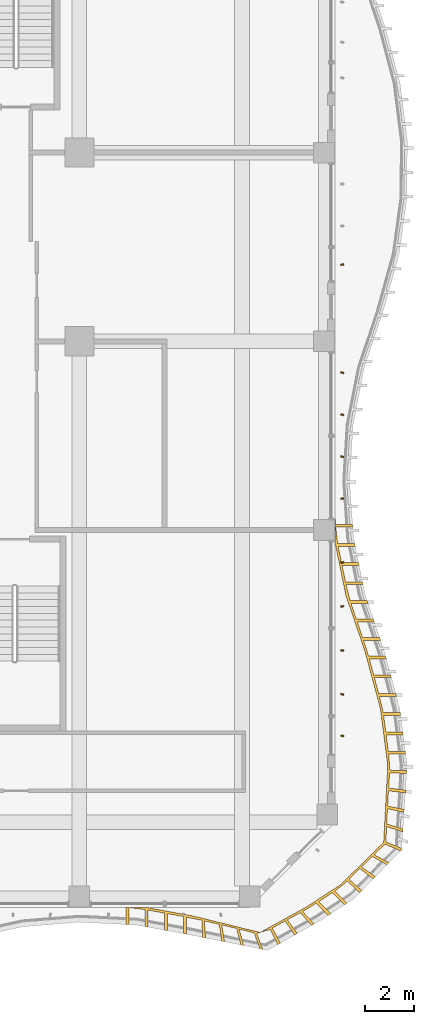
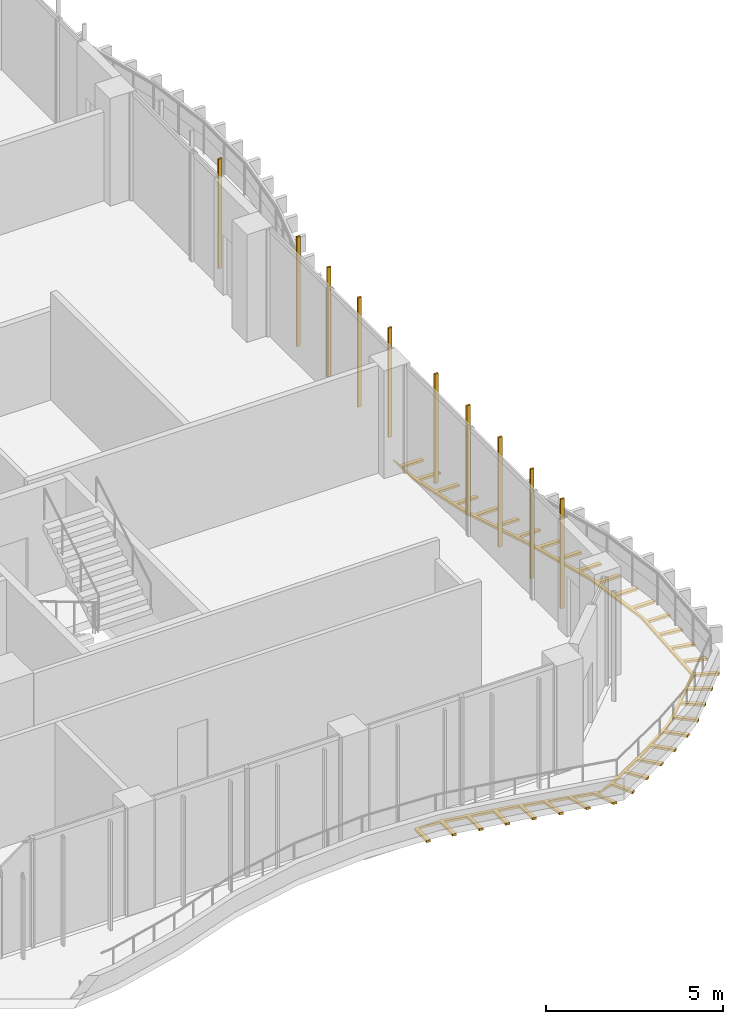
# One storey, part 22 of 26: 11 shading devices.
"""IFC4 building model written with IfcOpenShell, lengths in metres."""

import ifcopenshell
import ifcopenshell.guid

model = None  # the IFC model being written
_history = None  # IfcOwnerHistory: only IFC2X3 demands one
_inside = {}  # id of a spatial element -> (the spatial element, [elements in it])
_under = {}  # id of a project, library or spatial element -> (it, [spatial elements below it])
_declared = {}  # id of a project -> (the project, [libraries it declares])
_typed = {}  # id of a type object -> (the type object, [elements of that type])
_made_of = {}  # id of a material, layer set ... -> (it, [elements and type objects made of it])


def new_model(schema):
    """Start an empty IFC model of exactly this schema.

    Asked for "IFC4X3", IfcOpenShell would pick the latest addendum, in which some entities
    have other attributes; the version numbers below select the first issue.
    IFC2X3 requires an IfcOwnerHistory on every rooted entity: one is made here for all.
    """
    global model, _history
    if schema == "IFC4X3":
        model = ifcopenshell.file(schema_version=(4, 3, 0, 0))
    else:
        model = ifcopenshell.file(schema=schema)
    _inside.clear()
    _under.clear()
    _declared.clear()
    _typed.clear()
    _made_of.clear()
    _history = None
    if model.schema == "IFC2X3":
        org = make("IfcOrganization", Name="unknown")
        user = make(
            "IfcPersonAndOrganization",
            ThePerson=make("IfcPerson", FamilyName="unknown"),
            TheOrganization=org,
        )
        app = make(
            "IfcApplication",
            ApplicationDeveloper=org,
            Version="unknown",
            ApplicationFullName="unknown",
            ApplicationIdentifier="unknown",
        )
        _history = make(
            "IfcOwnerHistory",
            OwningUser=user,
            OwningApplication=app,
            ChangeAction="ADDED",
            CreationDate=0,
        )
    return model


def make(cls, **values):
    """One entity of the class cls with the attributes given. An attribute that is None is left unset."""
    return model.create_entity(
        cls, **{name: value for name, value in values.items() if value is not None}
    )


def rooted(cls, **values):
    """An entity with a GlobalId (a new one), such as an element, a storey or a relation."""
    return make(cls, GlobalId=ifcopenshell.guid.new(), OwnerHistory=_history, **values)


def si_unit(unit_type, name, prefix=None):
    """IfcSIUnit, for example si_unit("LENGTHUNIT", "METRE", prefix="MILLI")."""
    return make("IfcSIUnit", UnitType=unit_type, Prefix=prefix, Name=name)


def assignment(units):
    """IfcUnitAssignment: the units of a project."""
    return None if units is None else make("IfcUnitAssignment", Units=units)


def point(xyz):
    """IfcCartesianPoint."""
    return None if xyz is None else make("IfcCartesianPoint", Coordinates=xyz)


def direction(xyz):
    """IfcDirection."""
    return None if xyz is None else make("IfcDirection", DirectionRatios=xyz)


def frame(location, z_axis=None, x_axis=None):
    """IfcAxis2Placement3D, a coordinate frame: its origin and axes. An axis left out is left unset."""
    return make(
        "IfcAxis2Placement3D",
        Location=point(location),
        Axis=direction(z_axis),
        RefDirection=direction(x_axis),
    )


def frame_2d(location, x_axis=None):
    """IfcAxis2Placement2D, a coordinate frame in the plane: its origin and x axis."""
    return make(
        "IfcAxis2Placement2D", Location=point(location), RefDirection=direction(x_axis)
    )


def origin():
    """The frame at (0, 0, 0) with its axes left unset."""
    return frame((0.0, 0.0, 0.0))


def origin_2d():
    """The frame at (0, 0) in the plane with its x axis left unset."""
    return frame_2d((0.0, 0.0))


def place(relative_to, where):
    """IfcLocalPlacement: puts the frame where relative to a parent placement (None: the world)."""
    return make(
        "IfcLocalPlacement", PlacementRelTo=relative_to, RelativePlacement=where
    )


def context(
    kind, dimensions, precision=None, world=None, true_north=None, identifier=None
):
    """IfcGeometricRepresentationContext, for example the 3D "Model" context."""
    return make(
        "IfcGeometricRepresentationContext",
        ContextIdentifier=identifier,
        ContextType=kind,
        CoordinateSpaceDimension=dimensions,
        Precision=precision,
        WorldCoordinateSystem=world,
        TrueNorth=true_north,
    )


def subcontext(parent, identifier, kind, view, scale=None):
    """IfcGeometricRepresentationSubContext, for example "Body" below "Model"."""
    return make(
        "IfcGeometricRepresentationSubContext",
        ContextIdentifier=identifier,
        ContextType=kind,
        ParentContext=parent,
        TargetScale=scale,
        TargetView=view,
    )


def project(units=None, contexts=None):
    """IfcProject with its units and contexts."""
    return rooted(
        "IfcProject",
        Name="project",
        RepresentationContexts=contexts,
        UnitsInContext=assignment(units),
    )


def spatial(cls, under=None, at=None, **own):
    """A site, building, storey or space (cls), placed at a placement, below another one or the project."""
    s = rooted(cls, ObjectPlacement=at, **own)
    if under is not None:
        _under.setdefault(under.id(), (under, []))[1].append(s)
    return s


def polyline(points):
    """IfcPolyline through the points."""
    return make("IfcPolyline", Points=[point(p) for p in points])


def profile(cls, at=None, kind="AREA", **sizes):
    """A parametric profile (cls). Its sizes go by their IFC names, for example OverallWidth=200.0."""
    return make(cls, ProfileType=kind, Position=at, **sizes)


def rectangle(**sizes):
    """IfcRectangleProfileDef."""
    return profile("IfcRectangleProfileDef", **sizes)


def outline(outer, holes=None, kind="AREA"):
    """IfcArbitraryClosedProfileDef: a profile drawn as a closed curve; with holes, ...WithVoids."""
    if holes is None:
        return make("IfcArbitraryClosedProfileDef", ProfileType=kind, OuterCurve=outer)
    return make(
        "IfcArbitraryProfileDefWithVoids",
        ProfileType=kind,
        OuterCurve=outer,
        InnerCurves=holes,
    )


def extrude(swept, where, along, depth):
    """IfcExtrudedAreaSolid: the profile swept, set in the frame where, extruded along a direction by depth."""
    return make(
        "IfcExtrudedAreaSolid",
        SweptArea=swept,
        Position=where,
        ExtrudedDirection=direction(along),
        Depth=depth,
    )


def shape(context_of_items, identifier, shape_type, items):
    """IfcShapeRepresentation: the items that make up one representation, for example the "Body"."""
    return make(
        "IfcShapeRepresentation",
        ContextOfItems=context_of_items,
        RepresentationIdentifier=identifier,
        RepresentationType=shape_type,
        Items=items,
    )


def source(mapping_origin, context_of_items, identifier, shape_type, items):
    """IfcRepresentationMap: a shape defined once, which mapped items show again and again."""
    return make(
        "IfcRepresentationMap",
        MappingOrigin=mapping_origin,
        MappedRepresentation=shape(context_of_items, identifier, shape_type, items),
    )


def transform(
    local_origin,
    x_axis=None,
    y_axis=None,
    z_axis=None,
    scale=None,
    scale2=None,
    scale3=None,
    uniform=True,
):
    """IfcCartesianTransformationOperator3D, or its non-uniform kind. x_axis, y_axis, z_axis: its Axis1, 2, 3."""
    if uniform:
        return make(
            "IfcCartesianTransformationOperator3D",
            Axis1=direction(x_axis),
            Axis2=direction(y_axis),
            LocalOrigin=point(local_origin),
            Scale=scale,
            Axis3=direction(z_axis),
        )
    return make(
        "IfcCartesianTransformationOperator3DnonUniform",
        Axis1=direction(x_axis),
        Axis2=direction(y_axis),
        LocalOrigin=point(local_origin),
        Scale=scale,
        Axis3=direction(z_axis),
        Scale2=scale2,
        Scale3=scale3,
    )


def mapped(mapping_source, mapping_target):
    """IfcMappedItem: shows the shape of a source again, moved by a transform."""
    return make(
        "IfcMappedItem", MappingSource=mapping_source, MappingTarget=mapping_target
    )


def material(Name=None, Category=None):
    """IfcMaterial."""
    return make("IfcMaterial", Name=Name, Category=Category)


def layer(
    of_material, thickness, ventilated=None, Name=None, Category=None, Priority=None
):
    """IfcMaterialLayer: one layer of a wall or slab, of a material (None: an air gap)."""
    return make(
        "IfcMaterialLayer",
        Material=of_material,
        LayerThickness=thickness,
        IsVentilated=ventilated,
        Name=Name,
        Category=Category,
        Priority=Priority,
    )


def layer_set(layers, Name=None):
    """IfcMaterialLayerSet."""
    return make("IfcMaterialLayerSet", MaterialLayers=layers, LayerSetName=Name)


def material_profile(
    of_material, cross_section, Name=None, Category=None, Priority=None
):
    """IfcMaterialProfile: a cross section and its material."""
    return make(
        "IfcMaterialProfile",
        Name=Name,
        Material=of_material,
        Profile=cross_section,
        Priority=Priority,
        Category=Category,
    )


def profile_set(profiles, Name=None, composite=None):
    """IfcMaterialProfileSet."""
    return make(
        "IfcMaterialProfileSet",
        Name=Name,
        MaterialProfiles=profiles,
        CompositeProfile=composite,
    )


def made_of(thing, what):
    """Note that an element or type object is made of a material, layer set ...; save() writes the relation."""
    if what is not None:
        _made_of.setdefault(what.id(), (what, []))[1].append(thing)
    return thing


def type_object(cls, material=None, **own):
    """A type object (cls), such as IfcWallType, which elements share."""
    return made_of(rooted(cls, **own), material)


def element(
    cls,
    number,
    at=None,
    inside=None,
    cuts=None,
    type_object=None,
    material=None,
    context=None,
    identifier="Body",
    shape_type=None,
    held_by="IfcProductDefinitionShape",
    body=None,
    shapes=None,
    **own,
):
    """One element of the class cls, such as IfcWall. Its Tag is "e" and its number.

    at: its placement. inside: the storey or other place that contains it. cuts: it is an
    opening in that element (IfcRelVoidsElement). A single representation is given by context,
    identifier, shape_type and body (its items); several are given by shapes. held_by: the class
    of the entity that holds the representations. save() writes the other relations.
    """
    e = rooted(cls, Tag="e%d" % number, ObjectPlacement=at, **own)
    if body is not None:
        shapes = [shape(context, identifier, shape_type, body)]
    if shapes is not None:
        e.Representation = make(held_by, Representations=shapes)
    if inside is not None:
        _inside.setdefault(inside.id(), (inside, []))[1].append(e)
    if cuts is not None:
        rooted(
            "IfcRelVoidsElement", RelatingBuildingElement=cuts, RelatedOpeningElement=e
        )
    if type_object is not None:
        _typed.setdefault(type_object.id(), (type_object, []))[1].append(e)
    return made_of(e, material)


def aggregate(whole, parts):
    """IfcRelAggregates: a whole, such as a stair, and the parts it consists of."""
    return rooted("IfcRelAggregates", RelatingObject=whole, RelatedObjects=parts)


def save(model, path):
    """Write the relations noted so far, then the file.

    IfcRelAggregates (storeys below a building ...), IfcRelContainedInSpatialStructure (elements
    in a storey), IfcRelDefinesByType, IfcRelAssociatesMaterial and IfcRelDeclares: one each for
    every whole, place, type object, material and project.
    """
    for whole, parts in _under.values():
        aggregate(whole, parts)
    for where, things in _inside.values():
        rooted(
            "IfcRelContainedInSpatialStructure",
            RelatedElements=things,
            RelatingStructure=where,
        )
    for kind, things in _typed.values():
        rooted("IfcRelDefinesByType", RelatedObjects=things, RelatingType=kind)
    for what, things in _made_of.values():
        rooted("IfcRelAssociatesMaterial", RelatedObjects=things, RelatingMaterial=what)
    for by, libraries in _declared.values():
        rooted("IfcRelDeclares", RelatingContext=by, RelatedDefinitions=libraries)
    model.write(path)


model = new_model("IFC4")

# Units and contexts
model_context = context("Model", 3, precision=1e-05, world=origin(), true_north=direction((0.0, 1.0)))
body_context = subcontext(model_context, "Body", "Model", "MODEL_VIEW")
ifc_project = project(units=[si_unit("LENGTHUNIT", "METRE"), si_unit("AREAUNIT", "SQUARE_METRE"), si_unit("VOLUMEUNIT", "CUBIC_METRE"), si_unit("PLANEANGLEUNIT", "RADIAN"), si_unit("MASSUNIT", "GRAM", prefix="KILO")], contexts=[model_context])

# Site, building, storey
site_placement = place(None, origin())
site = spatial("IfcSite", under=ifc_project, at=site_placement, CompositionType="ELEMENT")
building_placement = place(site_placement, origin())
building = spatial("IfcBuilding", under=site, at=building_placement, Name="Kilnfold Tower and Market Hall", CompositionType="ELEMENT")
storey_placement = place(building_placement, frame((0.0, 0.0, 108.60009765625)))
storey = spatial("IfcBuildingStorey", under=building, at=storey_placement, Name="L25", CompositionType="ELEMENT", Elevation=108.60009765625)

# Shading devices
ifc_material_1 = material(Name="Terracotta", Category="masonry")
ifc_material_profile = material_profile(ifc_material_1, rectangle(XDim=0.06005859375, YDim=0.1201171875, at=origin_2d()), Name="BAG 60x120")
ifc_profile_set = profile_set([ifc_material_profile], Name="Terracotta")
shading_device_type_1 = type_object("IfcShadingDeviceType", Name="BAGUETTE", PredefinedType="USERDEFINED", material=ifc_profile_set)
shared_shape_1 = source(origin(), body_context, "Body", "SweptSolid", [
    extrude(rectangle(XDim=0.06005859375, YDim=0.1201171875, at=origin_2d()), origin(), (0.0, 0.0, 1.0), 3.77978515625),
])
for number, where, z_axis, x_axis, name in (
    (1, (33.300048828125, -15.951416015625, 0.0), (0.0, 0.0, 1.0), (0.137036545816, 0.990565992305, 0.0), "Terracotta baguette L25 E"),
    (2, (33.300048828125, -14.243408203125, 0.0), (0.0, 0.0, 1.0), (0.081968079421, 0.996634955215, 0.0), "Terracotta baguette L25 E"),
    (3, (33.300048828125, -12.438232421875, 0.0), (0.0, 0.0, 1.0), (-0.025267932671, 0.999680714818, 0.0), "Terracotta baguette L25 E"),
    (4, (33.300048828125, -10.6328125, 0.0), (0.0, 0.0, 1.0), (-0.116634335415, 0.993174925077, 0.0), "Terracotta baguette L25 E"),
    (5, (33.300048828125, -8.82763671875, 0.0), (0.0, 0.0, 1.0), (-0.135480399972, 0.990780026658, 0.0), "Terracotta baguette L25 E"),
    (6, (33.300048828125, -6.21240234375, 0.0), (0.0, 0.0, 1.0), (-0.022999665984, 0.999735472695, 0.0), "Terracotta baguette L25 E"),
    (7, (33.300048828125, -4.487548828125, 0.0), (0.0, 0.0, 1.0), (0.079751811491, 0.996814751378, 0.0), "Terracotta baguette L25 E"),
    (8, (33.300048828125, -2.762451171875, 0.0), (0.0, 0.0, 1.0), (0.136737446136, 0.990607324233, 0.0), "Terracotta baguette L25 E"),
    (9, (33.300048828125, -1.03759765625, 0.0), (0.0, 0.0, 1.0), (0.116050153661, 0.99324335479, 0.0), "Terracotta baguette L25 E"),
    (10, (33.300048828125, 3.39990234375, 0.0), (0.0, 0.0, 1.0), (-0.117741916272, 0.993044229203, 0.0), "Terracotta baguette L25 E"),
):
    element("IfcShadingDevice", number, at=place(storey_placement, frame(where, z_axis=z_axis, x_axis=x_axis)), inside=storey, type_object=shading_device_type_1, Name=name, ObjectType="BAGUETTE", PredefinedType="USERDEFINED", context=body_context, shape_type="MappedRepresentation", body=[
        mapped(shared_shape_1, transform((0.0, 0.0, 0.0))),
    ])
ifc_material_2 = material(Name="Bronze anodised aluminium", Category="aluminium")
ifc_layer = layer(ifc_material_2, 0.080078125)
ifc_layer_set = layer_set([ifc_layer], Name="Bronze anodised aluminium")
shading_device_type_2 = type_object("IfcShadingDeviceType", Name="BRONZE SLAT SOFFIT 80", PredefinedType="USERDEFINED", material=ifc_layer_set)
shared_shape_2 = source(origin(), body_context, "Body", "SweptSolid", [
    extrude(outline(polyline([(27.166748046875, -23.3466796875), (29.923583984375, -24.022216796875), (31.814208984375, -22.98095703125), (33.226806640625, -22.060302734375), (34.9951171875, -20.326416015625), (35.1640625, -17.166748046875), (34.860595703125, -14.833251953125), (34.232177734375, -12.5), (33.440185546875, -10.166748046875), (33.0, -8.01611328125), (33.0, -6.934326171875), (33.022705078125, -7.260986328125), (33.722900390625, -7.260986328125), (33.731201171875, -7.380859375), (33.031005859375, -7.380859375), (33.10791015625, -8.05517578125), (33.80810546875, -8.05517578125), (33.83203125, -8.172607421875), (33.132080078125, -8.172607421875), (33.268310546875, -8.8388671875), (33.968505859375, -8.8388671875), (33.992431640625, -8.956298828125), (33.29248046875, -8.956298828125), (33.4287109375, -9.62255859375), (34.12890625, -9.62255859375), (34.15283203125, -9.740234375), (33.452880859375, -9.740234375), (33.61865234375, -10.3984375), (34.318603515625, -10.3984375), (34.357421875, -10.511962890625), (33.6572265625, -10.511962890625), (33.8759765625, -11.156005859375), (34.575927734375, -11.156005859375), (34.614501953125, -11.26953125), (33.91455078125, -11.26953125), (34.133056640625, -11.91357421875), (34.8330078125, -11.91357421875), (34.87158203125, -12.027099609375), (34.171630859375, -12.027099609375), (34.379150390625, -12.67431640625), (35.0791015625, -12.67431640625), (35.1103515625, -12.790283203125), (34.410400390625, -12.790283203125), (34.587158203125, -13.447021484375), (35.287109375, -13.447021484375), (35.318359375, -13.562744140625), (34.618408203125, -13.562744140625), (34.795166015625, -14.219482421875), (35.4951171875, -14.219482421875), (35.5263671875, -14.335205078125), (34.826416015625, -14.335205078125), (34.981689453125, -14.99609375), (35.681640625, -14.99609375), (35.697265625, -15.114990234375), (34.997314453125, -15.114990234375), (35.0849609375, -15.789306640625), (35.784912109375, -15.789306640625), (35.80029296875, -15.908447265625), (35.100341796875, -15.908447265625), (35.18798828125, -16.582763671875), (35.88818359375, -16.582763671875), (35.903564453125, -16.70166015625), (35.20361328125, -16.70166015625), (35.250244140625, -17.361083984375), (35.9501953125, -17.377197265625), (35.942138671875, -17.4970703125), (35.24267578125, -17.471435546875), (35.20166015625, -18.096435546875), (35.897216796875, -18.175537109375), (35.88916015625, -18.29541015625), (35.19482421875, -18.20654296875), (35.158935546875, -18.831298828125), (35.84423828125, -18.973876953125), (35.836181640625, -19.093505859375), (35.15283203125, -18.94189453125), (35.121826171875, -19.56787109375), (35.791259765625, -19.772216796875), (35.783203125, -19.891845703125), (35.11669921875, -19.678466796875), (35.08984375, -20.306884765625), (35.73828125, -20.5703125), (35.734130859375, -20.632568359375), (35.69384765625, -20.673828125), (35.04931640625, -20.40087890625), (34.603759765625, -20.827880859375), (35.219482421875, -21.160888671875), (35.1357421875, -21.246826171875), (34.52587890625, -20.9033203125), (34.08740234375, -21.3330078125), (34.661376953125, -21.73388671875), (34.577392578125, -21.820068359375), (34.0107421875, -21.4091796875), (33.578369140625, -21.84375), (34.10302734375, -22.30712890625), (34.019287109375, -22.39306640625), (33.502685546875, -21.9208984375), (33.000244140625, -22.32470703125), (33.4951171875, -22.819580078125), (33.39453125, -22.88525390625), (32.899658203125, -22.390380859375), (32.330078125, -22.76171875), (32.824951171875, -23.256591796875), (32.724365234375, -23.322021484375), (32.2294921875, -22.8271484375), (31.672119140625, -23.16357421875), (32.14599609375, -23.6787109375), (32.04150390625, -23.73779296875), (31.577392578125, -23.213623046875), (31.045166015625, -23.5009765625), (31.449462890625, -24.072265625), (31.344970703125, -24.13134765625), (30.95166015625, -23.55224609375), (30.425048828125, -23.847412109375), (30.752685546875, -24.4658203125), (30.6484375, -24.52490234375), (30.33251953125, -23.900146484375), (29.782470703125, -24.069091796875), (30.034423828125, -24.72216796875), (29.916748046875, -24.698486328125), (29.674560546875, -24.0419921875), (29.064697265625, -23.889892578125), (29.25, -24.564697265625), (29.13232421875, -24.541259765625), (28.95751953125, -23.86328125), (28.35009765625, -23.717041015625), (28.4658203125, -24.407470703125), (28.34814453125, -24.3837890625), (28.242919921875, -23.69189453125), (27.635986328125, -23.551513671875), (27.681396484375, -24.25), (27.563720703125, -24.226318359375), (27.52880859375, -23.52734375), (26.896240234375, -23.39697265625), (26.896240234375, -24.096923828125), (26.778076171875, -24.0751953125), (26.778076171875, -23.375244140625), (26.109375, -23.25244140625), (26.109375, -23.952392578125), (25.9912109375, -23.930908203125), (25.9912109375, -23.23095703125), (25.322509765625, -23.10791015625), (25.322509765625, -23.80810546875), (25.20458984375, -23.786376953125), (25.20458984375, -23.08642578125), (24.531005859375, -23.003173828125), (24.531005859375, -23.703125), (24.4111328125, -23.697265625), (24.4111328125, -23.0), (25.27880859375, -23.0), (27.166748046875, -23.3466796875)])), origin(), (0.0, 0.0, 1.0), 0.079833984375),
])
shading_device_placement = place(storey_placement, frame((0.0, 0.0, -0.300048828125)))
element("IfcShadingDevice", 11, at=shading_device_placement, inside=storey, type_object=shading_device_type_2, Name="Balcony soffit slats L25", ObjectType="SLAT", PredefinedType="USERDEFINED", context=body_context, shape_type="MappedRepresentation", body=[
    mapped(shared_shape_2, transform((0.0, 0.0, 0.0))),
])

save(model, "model.ifc")
